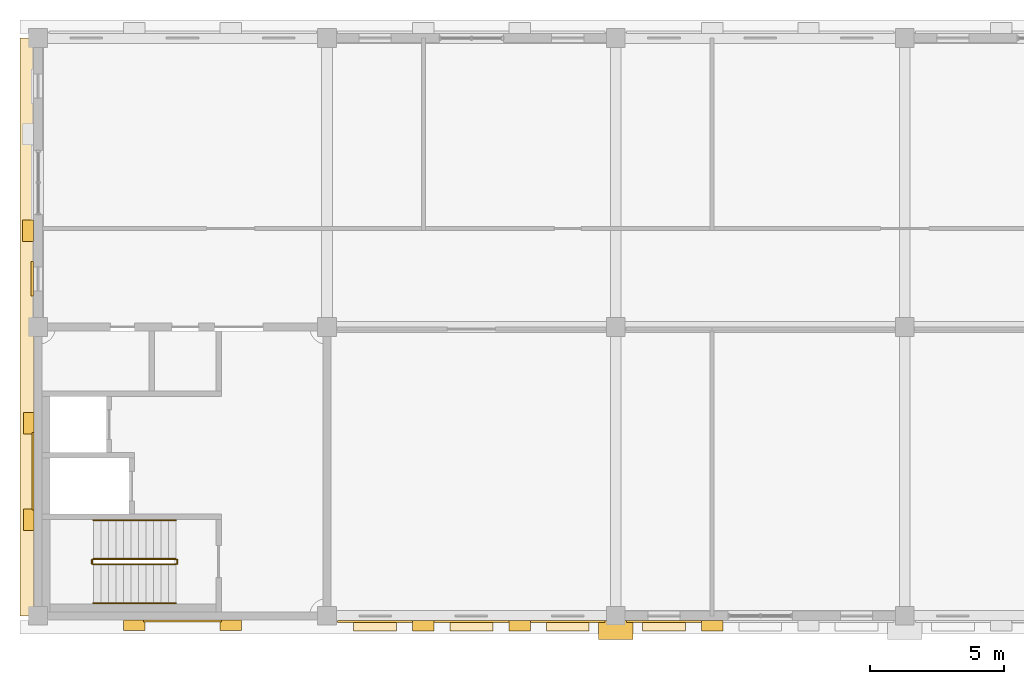
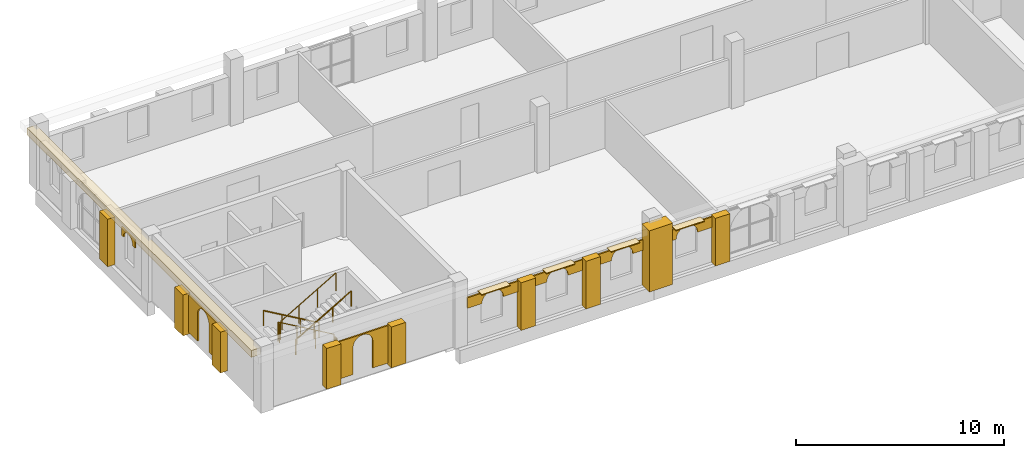
# One storey, part 15 of 17: 21 coverings, 6 railings.
"""IFC4 building model written with IfcOpenShell, lengths in metres."""

import ifcopenshell
import ifcopenshell.guid

model = None  # the IFC model being written
_history = None  # IfcOwnerHistory: only IFC2X3 demands one
_inside = {}  # id of a spatial element -> (the spatial element, [elements in it])
_under = {}  # id of a project, library or spatial element -> (it, [spatial elements below it])
_declared = {}  # id of a project -> (the project, [libraries it declares])
_typed = {}  # id of a type object -> (the type object, [elements of that type])
_made_of = {}  # id of a material, layer set ... -> (it, [elements and type objects made of it])


def new_model(schema):
    """Start an empty IFC model of exactly this schema.

    Asked for "IFC4X3", IfcOpenShell would pick the latest addendum, in which some entities
    have other attributes; the version numbers below select the first issue.
    IFC2X3 requires an IfcOwnerHistory on every rooted entity: one is made here for all.
    """
    global model, _history
    if schema == "IFC4X3":
        model = ifcopenshell.file(schema_version=(4, 3, 0, 0))
    else:
        model = ifcopenshell.file(schema=schema)
    _inside.clear()
    _under.clear()
    _declared.clear()
    _typed.clear()
    _made_of.clear()
    _history = None
    if model.schema == "IFC2X3":
        org = make("IfcOrganization", Name="unknown")
        user = make(
            "IfcPersonAndOrganization",
            ThePerson=make("IfcPerson", FamilyName="unknown"),
            TheOrganization=org,
        )
        app = make(
            "IfcApplication",
            ApplicationDeveloper=org,
            Version="unknown",
            ApplicationFullName="unknown",
            ApplicationIdentifier="unknown",
        )
        _history = make(
            "IfcOwnerHistory",
            OwningUser=user,
            OwningApplication=app,
            ChangeAction="ADDED",
            CreationDate=0,
        )
    return model


def make(cls, **values):
    """One entity of the class cls with the attributes given. An attribute that is None is left unset."""
    return model.create_entity(
        cls, **{name: value for name, value in values.items() if value is not None}
    )


def rooted(cls, **values):
    """An entity with a GlobalId (a new one), such as an element, a storey or a relation."""
    return make(cls, GlobalId=ifcopenshell.guid.new(), OwnerHistory=_history, **values)


def si_unit(unit_type, name, prefix=None):
    """IfcSIUnit, for example si_unit("LENGTHUNIT", "METRE", prefix="MILLI")."""
    return make("IfcSIUnit", UnitType=unit_type, Prefix=prefix, Name=name)


def assignment(units):
    """IfcUnitAssignment: the units of a project."""
    return None if units is None else make("IfcUnitAssignment", Units=units)


def point(xyz):
    """IfcCartesianPoint."""
    return None if xyz is None else make("IfcCartesianPoint", Coordinates=xyz)


def direction(xyz):
    """IfcDirection."""
    return None if xyz is None else make("IfcDirection", DirectionRatios=xyz)


def frame(location, z_axis=None, x_axis=None):
    """IfcAxis2Placement3D, a coordinate frame: its origin and axes. An axis left out is left unset."""
    return make(
        "IfcAxis2Placement3D",
        Location=point(location),
        Axis=direction(z_axis),
        RefDirection=direction(x_axis),
    )


def frame_2d(location, x_axis=None):
    """IfcAxis2Placement2D, a coordinate frame in the plane: its origin and x axis."""
    return make(
        "IfcAxis2Placement2D", Location=point(location), RefDirection=direction(x_axis)
    )


def origin():
    """The frame at (0, 0, 0) with its axes left unset."""
    return frame((0.0, 0.0, 0.0))


def origin_2d():
    """The frame at (0, 0) in the plane with its x axis left unset."""
    return frame_2d((0.0, 0.0))


def place(relative_to, where):
    """IfcLocalPlacement: puts the frame where relative to a parent placement (None: the world)."""
    return make(
        "IfcLocalPlacement", PlacementRelTo=relative_to, RelativePlacement=where
    )


def context(
    kind, dimensions, precision=None, world=None, true_north=None, identifier=None
):
    """IfcGeometricRepresentationContext, for example the 3D "Model" context."""
    return make(
        "IfcGeometricRepresentationContext",
        ContextIdentifier=identifier,
        ContextType=kind,
        CoordinateSpaceDimension=dimensions,
        Precision=precision,
        WorldCoordinateSystem=world,
        TrueNorth=true_north,
    )


def subcontext(parent, identifier, kind, view, scale=None):
    """IfcGeometricRepresentationSubContext, for example "Body" below "Model"."""
    return make(
        "IfcGeometricRepresentationSubContext",
        ContextIdentifier=identifier,
        ContextType=kind,
        ParentContext=parent,
        TargetScale=scale,
        TargetView=view,
    )


def project(units=None, contexts=None):
    """IfcProject with its units and contexts."""
    return rooted(
        "IfcProject",
        Name="project",
        RepresentationContexts=contexts,
        UnitsInContext=assignment(units),
    )


def spatial(cls, under=None, at=None, **own):
    """A site, building, storey or space (cls), placed at a placement, below another one or the project."""
    s = rooted(cls, ObjectPlacement=at, **own)
    if under is not None:
        _under.setdefault(under.id(), (under, []))[1].append(s)
    return s


def polyline(points):
    """IfcPolyline through the points."""
    return make("IfcPolyline", Points=[point(p) for p in points])


def profile(cls, at=None, kind="AREA", **sizes):
    """A parametric profile (cls). Its sizes go by their IFC names, for example OverallWidth=200.0."""
    return make(cls, ProfileType=kind, Position=at, **sizes)


def rectangle(**sizes):
    """IfcRectangleProfileDef."""
    return profile("IfcRectangleProfileDef", **sizes)


def circle(**sizes):
    """IfcCircleProfileDef."""
    return profile("IfcCircleProfileDef", **sizes)


def outline(outer, holes=None, kind="AREA"):
    """IfcArbitraryClosedProfileDef: a profile drawn as a closed curve; with holes, ...WithVoids."""
    if holes is None:
        return make("IfcArbitraryClosedProfileDef", ProfileType=kind, OuterCurve=outer)
    return make(
        "IfcArbitraryProfileDefWithVoids",
        ProfileType=kind,
        OuterCurve=outer,
        InnerCurves=holes,
    )


def extrude(swept, where, along, depth):
    """IfcExtrudedAreaSolid: the profile swept, set in the frame where, extruded along a direction by depth."""
    return make(
        "IfcExtrudedAreaSolid",
        SweptArea=swept,
        Position=where,
        ExtrudedDirection=direction(along),
        Depth=depth,
    )


def shape(context_of_items, identifier, shape_type, items):
    """IfcShapeRepresentation: the items that make up one representation, for example the "Body"."""
    return make(
        "IfcShapeRepresentation",
        ContextOfItems=context_of_items,
        RepresentationIdentifier=identifier,
        RepresentationType=shape_type,
        Items=items,
    )


def material(Name=None, Category=None):
    """IfcMaterial."""
    return make("IfcMaterial", Name=Name, Category=Category)


def layer(
    of_material, thickness, ventilated=None, Name=None, Category=None, Priority=None
):
    """IfcMaterialLayer: one layer of a wall or slab, of a material (None: an air gap)."""
    return make(
        "IfcMaterialLayer",
        Material=of_material,
        LayerThickness=thickness,
        IsVentilated=ventilated,
        Name=Name,
        Category=Category,
        Priority=Priority,
    )


def layer_set(layers, Name=None):
    """IfcMaterialLayerSet."""
    return make("IfcMaterialLayerSet", MaterialLayers=layers, LayerSetName=Name)


def made_of(thing, what):
    """Note that an element or type object is made of a material, layer set ...; save() writes the relation."""
    if what is not None:
        _made_of.setdefault(what.id(), (what, []))[1].append(thing)
    return thing


def type_object(cls, material=None, **own):
    """A type object (cls), such as IfcWallType, which elements share."""
    return made_of(rooted(cls, **own), material)


def element(
    cls,
    number,
    at=None,
    inside=None,
    cuts=None,
    type_object=None,
    material=None,
    context=None,
    identifier="Body",
    shape_type=None,
    held_by="IfcProductDefinitionShape",
    body=None,
    shapes=None,
    **own,
):
    """One element of the class cls, such as IfcWall. Its Tag is "e" and its number.

    at: its placement. inside: the storey or other place that contains it. cuts: it is an
    opening in that element (IfcRelVoidsElement). A single representation is given by context,
    identifier, shape_type and body (its items); several are given by shapes. held_by: the class
    of the entity that holds the representations. save() writes the other relations.
    """
    e = rooted(cls, Tag="e%d" % number, ObjectPlacement=at, **own)
    if body is not None:
        shapes = [shape(context, identifier, shape_type, body)]
    if shapes is not None:
        e.Representation = make(held_by, Representations=shapes)
    if inside is not None:
        _inside.setdefault(inside.id(), (inside, []))[1].append(e)
    if cuts is not None:
        rooted(
            "IfcRelVoidsElement", RelatingBuildingElement=cuts, RelatedOpeningElement=e
        )
    if type_object is not None:
        _typed.setdefault(type_object.id(), (type_object, []))[1].append(e)
    return made_of(e, material)


def aggregate(whole, parts):
    """IfcRelAggregates: a whole, such as a stair, and the parts it consists of."""
    return rooted("IfcRelAggregates", RelatingObject=whole, RelatedObjects=parts)


def save(model, path):
    """Write the relations noted so far, then the file.

    IfcRelAggregates (storeys below a building ...), IfcRelContainedInSpatialStructure (elements
    in a storey), IfcRelDefinesByType, IfcRelAssociatesMaterial and IfcRelDeclares: one each for
    every whole, place, type object, material and project.
    """
    for whole, parts in _under.values():
        aggregate(whole, parts)
    for where, things in _inside.values():
        rooted(
            "IfcRelContainedInSpatialStructure",
            RelatedElements=things,
            RelatingStructure=where,
        )
    for kind, things in _typed.values():
        rooted("IfcRelDefinesByType", RelatedObjects=things, RelatingType=kind)
    for what, things in _made_of.values():
        rooted("IfcRelAssociatesMaterial", RelatedObjects=things, RelatingMaterial=what)
    for by, libraries in _declared.values():
        rooted("IfcRelDeclares", RelatingContext=by, RelatedDefinitions=libraries)
    model.write(path)


model = new_model("IFC4")

# Units and contexts
model_context = context("Model", 3, precision=1e-05, world=origin(), true_north=direction((0.0, 1.0)))
body_context = subcontext(model_context, "Body", "Model", "MODEL_VIEW")
ifc_project = project(units=[si_unit("LENGTHUNIT", "METRE"), si_unit("AREAUNIT", "SQUARE_METRE"), si_unit("VOLUMEUNIT", "CUBIC_METRE"), si_unit("PLANEANGLEUNIT", "RADIAN"), si_unit("MASSUNIT", "GRAM", prefix="KILO")], contexts=[model_context])

# Site, building, storey
site_placement = place(None, origin())
site = spatial("IfcSite", under=ifc_project, at=site_placement, CompositionType="ELEMENT")
building_placement = place(site_placement, origin())
building = spatial("IfcBuilding", under=site, at=building_placement, Name="Magnolia Steps Interchange", CompositionType="ELEMENT")
storey_placement = place(building_placement, frame((0.0, 0.0, 20.39990234375)))
storey = spatial("IfcBuildingStorey", under=building, at=storey_placement, Name="L05", CompositionType="ELEMENT", Elevation=20.39990234375)

# Coverings
ifc_material_1 = material(Name="Lime render")
ifc_layer_1 = layer(ifc_material_1, 0.080078125)
ifc_layer_set_1 = layer_set([ifc_layer_1], Name="Lime render arch infill")
covering_type_1 = type_object("IfcCoveringType", Name="Lime render arch infill", PredefinedType="CLADDING", material=ifc_layer_set_1)
covering_1_placement = place(storey_placement, frame((75.199951171875, 96.22509765625, 2.080078125), z_axis=(0.0, 1.0, 0.0), x_axis=(0.0, 0.0, 1.0)))
element("IfcCovering", 1, at=covering_1_placement, inside=storey, type_object=covering_type_1, Name="Arched head over opening W00180", PredefinedType="CLADDING", context=body_context, shape_type="SweptSolid", body=[
    extrude(outline(polyline([(0.0, 0.0), (0.620117188, 0.0), (0.620117188, 2.800048828), (0.0, 2.800048828), (0.0, 2.0), (0.133544922, 1.985107422), (0.260253906, 1.940673828), (0.374023438, 1.869140625), (0.469238281, 1.774169922), (0.540527344, 1.660400391), (0.584960938, 1.533447266), (0.600097656, 1.400146484), (0.584960938, 1.266601562), (0.540527344, 1.139648438), (0.469238281, 1.025878906), (0.374023438, 0.930908203), (0.260253906, 0.859375), (0.133544922, 0.814941406), (0.0, 0.800048828), (0.0, 0.0)])), origin(), (0.0, 0.0, -1.0), 0.080078125),
])
covering_2_placement = place(storey_placement, frame((78.800048828125, 96.22509765625, 2.080078125), z_axis=(0.0, 1.0, 0.0), x_axis=(0.0, 0.0, 1.0)))
element("IfcCovering", 2, at=covering_2_placement, inside=storey, type_object=covering_type_1, Name="Arched head over opening W00540", PredefinedType="CLADDING", context=body_context, shape_type="SweptSolid", body=[
    extrude(outline(polyline([(0.0, 0.0), (0.620117188, 0.0), (0.620117188, 2.800048828), (0.0, 2.800048828), (0.0, 2.0), (0.133544922, 1.984863281), (0.260253906, 1.940429688), (0.374023438, 1.869140625), (0.469238281, 1.774169922), (0.540527344, 1.66015625), (0.584960938, 1.533447266), (0.600097656, 1.399902344), (0.584960938, 1.266357422), (0.540527344, 1.139648438), (0.469238281, 1.025878906), (0.374023438, 0.930908203), (0.260253906, 0.859375), (0.133544922, 0.814941406), (0.0, 0.800048828), (0.0, 0.0)])), origin(), (0.0, 0.0, -1.0), 0.080078125),
])
covering_3_placement = place(storey_placement, frame((82.39990234375, 96.22509765625, 2.080078125), z_axis=(0.0, 1.0, 0.0), x_axis=(0.0, 0.0, 1.0)))
element("IfcCovering", 3, at=covering_3_placement, inside=storey, type_object=covering_type_1, Name="Arched head over opening W00900", PredefinedType="CLADDING", context=body_context, shape_type="SweptSolid", body=[
    extrude(outline(polyline([(0.0, 0.0), (0.620117188, 0.0), (0.620117188, 2.800048828), (0.0, 2.800048828), (0.0, 2.0), (0.133544922, 1.985107422), (0.260253906, 1.940673828), (0.374023438, 1.869140625), (0.469238281, 1.774169922), (0.540527344, 1.660400391), (0.584960938, 1.533691406), (0.600097656, 1.400146484), (0.584960938, 1.266601562), (0.540527344, 1.139892578), (0.469238281, 1.025878906), (0.374023438, 0.930908203), (0.260253906, 0.859619141), (0.133544922, 0.815185547), (0.0, 0.800048828), (0.0, 0.0)])), origin(), (0.0, 0.0, -1.0), 0.080078125),
])
covering_4_placement = place(storey_placement, frame((86.0, 96.22509765625, 2.080078125), z_axis=(0.0, 1.0, 0.0), x_axis=(0.0, 0.0, 1.0)))
element("IfcCovering", 4, at=covering_4_placement, inside=storey, type_object=covering_type_1, Name="Arched head over opening W01260", PredefinedType="CLADDING", context=body_context, shape_type="SweptSolid", body=[
    extrude(outline(polyline([(0.0, 0.0), (0.620117188, 0.0), (0.620117188, 2.800048828), (0.0, 2.800048828), (0.0, 2.0), (0.133544922, 1.985107422), (0.260253906, 1.940673828), (0.374023438, 1.869140625), (0.469238281, 1.774169922), (0.540527344, 1.660400391), (0.584960938, 1.533447266), (0.600097656, 1.399902344), (0.584960938, 1.266601562), (0.540527344, 1.139648438), (0.469238281, 1.025878906), (0.374023438, 0.930908203), (0.260253906, 0.859375), (0.133544922, 0.814941406), (0.0, 0.800048828), (0.0, 0.0)])), origin(), (0.0, 0.0, -1.0), 0.080078125),
])
covering_5_placement = place(storey_placement, frame((63.824951171875, 108.550048828125, 2.22998046875), z_axis=(1.0, 0.0, 0.0), x_axis=(0.0, 0.111495577518, 0.993764930048)))
element("IfcCovering", 5, at=covering_5_placement, inside=storey, type_object=covering_type_1, Name="Arched head over opening W00180", PredefinedType="CLADDING", context=body_context, shape_type="SweptSolid", body=[
    extrude(outline(polyline([(0.0, 0.0), (0.100725688, 0.0), (0.199048862, -0.022380067), (0.289953831, -0.066228903), (0.368504198, -0.129152279), (0.431380233, -0.207837565), (0.474992369, -0.298756736), (0.497555879, -0.396950908), (0.497313261, -0.497703817), (0.474933193, -0.596026991), (0.431057137, -0.686689342), (0.3684036, -0.765455106), (0.289475695, -0.828358363), (0.198556524, -0.871970498), (0.100335132, -0.89429139), (0.122628803, -1.092995852), (0.589911824, -1.040568976), (0.44498935, 0.251131338), (-0.022293671, 0.198704462), (0.0, 0.0)])), origin(), (0.0, 0.0, -1.0), 0.080078125),
])
covering_6_placement = place(storey_placement, frame((67.949951171875, 96.25, 0.400146484375), z_axis=(0.0, 1.0, 0.0), x_axis=(0.0, 0.0, 1.0)))
element("IfcCovering", 6, at=covering_6_placement, inside=storey, type_object=covering_type_1, Name="Arched niche OC-W L05 S", PredefinedType="CLADDING", context=body_context, shape_type="SweptSolid", body=[
    extrude(outline(polyline([(0.0, 0.0), (2.199951172, 0.0), (2.199951172, 2.900146484), (0.0, 2.900146484), (0.0, 2.0), (1.599853516, 2.0), (1.742431641, 1.981445312), (1.875, 1.926269531), (1.988769531, 1.838867188), (2.076171875, 1.725097656), (2.131347656, 1.592529297), (2.149902344, 1.449951172), (2.131347656, 1.307617188), (2.076171875, 1.175048828), (1.988769531, 1.061035156), (1.875, 0.973632812), (1.742431641, 0.918701172), (1.599853516, 0.900146484), (0.0, 0.900146484), (0.0, 0.0)])), origin(), (0.0, 0.0, -1.0), 0.080078125),
])
covering_7_placement = place(storey_placement, frame((63.85009765625, 101.25, 0.400146484375), z_axis=(1.0, 0.0, 0.0), x_axis=(0.0, 0.0, 1.0)))
element("IfcCovering", 7, at=covering_7_placement, inside=storey, type_object=covering_type_1, Name="Arched niche OC-W L05 W", PredefinedType="CLADDING", context=body_context, shape_type="SweptSolid", body=[
    extrude(outline(polyline([(0.0, 0.0), (1.599853516, 0.0), (1.742431641, -0.018798828), (1.875, -0.073730469), (1.988769531, -0.161132812), (2.076171875, -0.274902344), (2.131347656, -0.407714844), (2.149902344, -0.550048828), (2.131347656, -0.692382812), (2.076171875, -0.824951172), (1.988769531, -0.938964844), (1.875, -1.026367188), (1.742431641, -1.081298828), (1.599853516, -1.100097656), (0.0, -1.100097656), (0.0, -2.0), (2.199951172, -2.0), (2.199951172, 0.899902344), (0.0, 0.899902344), (0.0, 0.0)])), origin(), (0.0, 0.0, -1.0), 0.080078125),
])
ifc_material_2 = material(Name="Lime render")
ifc_layer_2 = layer(ifc_material_2, 0.1201171875)
ifc_layer_set_2 = layer_set([ifc_layer_2], Name="Lime render band")
covering_type_2 = type_object("IfcCoveringType", Name="Lime render band", PredefinedType="CLADDING", material=ifc_layer_set_2)
covering_8_placement = place(storey_placement, frame((63.574951171875, 107.199951171875, 3.2001953125), z_axis=(0.0, 0.0, 1.0), x_axis=(1.0, 0.0, 0.0)))
element("IfcCovering", 8, at=covering_8_placement, inside=storey, type_object=covering_type_2, Name="String course L05 W", PredefinedType="CLADDING", context=body_context, shape_type="SweptSolid", body=[
    extrude(rectangle(XDim=0.5, YDim=21.60009765625, at=origin_2d()), origin(), (0.0, 0.0, 1.0), 0.39990234375),
])
ifc_material_3 = material(Name="Lime render")
ifc_layer_3 = layer(ifc_material_3, 0.39990234375)
ifc_layer_set_3 = layer_set([ifc_layer_3], Name="Lime render pilaster")
covering_type_3 = type_object("IfcCoveringType", Name="Lime render pilaster", PredefinedType="CLADDING", material=ifc_layer_set_3)
for number, where, z_axis, x_axis, name in (
    (9, (78.39990234375, 96.02490234375, 0.0), (0.0, 0.0, 1.0), (1.0, 0.0, 0.0), "Pilaster L05 S 1"),
    (10, (82.0, 96.02490234375, 0.0), (0.0, 0.0, 1.0), (1.0, 0.0, 0.0), "Pilaster L05 S 2"),
    (11, (89.199951171875, 96.02490234375, 0.0), (0.0, 0.0, 1.0), (1.0, 0.0, 0.0), "Pilaster L05 S 3"),
):
    element("IfcCovering", number, at=place(storey_placement, frame(where, z_axis=z_axis, x_axis=x_axis)), inside=storey, type_object=covering_type_3, Name=name, PredefinedType="CLADDING", context=body_context, shape_type="SweptSolid", body=[
        extrude(rectangle(XDim=0.800048828125, YDim=0.39990234375, at=origin_2d()), origin(), (0.0, 0.0, 1.0), 2.800048828125),
    ])
covering_9_placement = place(storey_placement, frame((63.625, 110.800048828125, 0.0), z_axis=(0.0, 0.0, 1.0), x_axis=(1.0, 0.0, 0.0)))
element("IfcCovering", 12, at=covering_9_placement, inside=storey, type_object=covering_type_3, Name="Pilaster L05 W 1", PredefinedType="CLADDING", context=body_context, shape_type="SweptSolid", body=[
    extrude(rectangle(XDim=0.39990234375, YDim=0.800048828125, at=origin_2d()), origin(), (0.0, 0.0, 1.0), 2.800048828125),
])
for number, where, z_axis, x_axis, name in (
    (13, (67.60009765625, 96.050048828125, 0.300048828125), (0.0, 0.0, 1.0), (1.0, 0.0, 0.0), "Core pilaster OC-W L05 S 1"),
    (14, (71.199951171875, 96.050048828125, 0.300048828125), (0.0, 0.0, 1.0), (1.0, 0.0, 0.0), "Core pilaster OC-W L05 S 2"),
):
    element("IfcCovering", number, at=place(storey_placement, frame(where, z_axis=z_axis, x_axis=x_axis)), inside=storey, type_object=covering_type_3, Name=name, PredefinedType="CLADDING", context=body_context, shape_type="SweptSolid", body=[
        extrude(rectangle(XDim=0.800048828125, YDim=0.39990234375, at=origin_2d()), origin(), (0.0, 0.0, 1.0), 2.39990234375),
    ])
for number, where, z_axis, x_axis, name in (
    (15, (63.64990234375, 100.0, 0.300048828125), (0.0, 0.0, 1.0), (1.0, 0.0, 0.0), "Core pilaster OC-W L05 W 1"),
    (16, (63.64990234375, 103.60009765625, 0.300048828125), (0.0, 0.0, 1.0), (1.0, 0.0, 0.0), "Core pilaster OC-W L05 W 2"),
):
    element("IfcCovering", number, at=place(storey_placement, frame(where, z_axis=z_axis, x_axis=x_axis)), inside=storey, type_object=covering_type_3, Name=name, PredefinedType="CLADDING", context=body_context, shape_type="SweptSolid", body=[
        extrude(rectangle(XDim=0.39990234375, YDim=0.800048828125, at=origin_2d()), origin(), (0.0, 0.0, 1.0), 2.39990234375),
    ])
covering_10_placement = place(storey_placement, frame((85.60009765625, 95.875, 0.0), z_axis=(0.0, 0.0, 1.0), x_axis=(1.0, 0.0, 0.0)))
element("IfcCovering", 17, at=covering_10_placement, inside=storey, type_object=covering_type_3, Name="Giant pilaster L05 1", PredefinedType="CLADDING", context=body_context, shape_type="SweptSolid", body=[
    extrude(rectangle(XDim=1.300048828125, YDim=0.699951171875, at=origin_2d()), origin(), (0.0, 0.0, 1.0), 3.60009765625),
])

# Railings
ifc_material_4 = material(Name="Stainless steel grade 304", Category="steel")
railing_type_1 = type_object("IfcRailingType", Name="Stair guard 1100", PredefinedType="GUARDRAIL", material=ifc_material_4)
railing_1_placement = place(storey_placement, frame((69.14990234375, 98.52392578125, 0.16259765625)))
element("IfcRailing", 18, at=railing_1_placement, inside=storey, type_object=railing_type_1, Name="L05 ST28 stair guard 1", PredefinedType="GUARDRAIL", context=body_context, shape_type="SweptSolid", body=[
    extrude(circle(Radius=0.02392578125, at=origin_2d()), frame((0.0, 0.0, 1.076171875), z_axis=(-0.864873446163, 0.0, 0.501989962173), x_axis=(0.0, -1.0, 0.0)), (0.0, 0.0, 1.0), 3.56103515625),
    extrude(circle(Radius=0.02099609375, at=origin_2d()), origin(), (0.0, 0.0, 1.0), 1.052001953125),
    extrude(circle(Radius=0.02099609375, at=origin_2d()), frame((-1.026611328125, 0.0, 0.595947265625)), (0.0, 0.0, 1.0), 1.052001953125),
    extrude(circle(Radius=0.02099609375, at=origin_2d()), frame((-2.05322265625, 0.0, 1.191650390625)), (0.0, 0.0, 1.0), 1.052001953125),
    extrude(circle(Radius=0.02099609375, at=origin_2d()), frame((-3.079833984375, 0.0, 1.78759765625)), (0.0, 0.0, 1.0), 1.052001953125),
])
railing_2_placement = place(storey_placement, frame((66.02001953125, 98.5, 1.9501953125)))
element("IfcRailing", 19, at=railing_2_placement, inside=storey, type_object=railing_type_1, Name="L05 ST28 stair guard 2", PredefinedType="GUARDRAIL", context=body_context, shape_type="SweptSolid", body=[
    extrude(circle(Radius=0.02392578125, at=origin_2d()), frame((0.0, 0.0, 1.076171875), z_axis=(0.0, -1.0, 0.0), x_axis=(1.0, 0.0, 0.0)), (0.0, 0.0, 1.0), 0.14990234375),
    extrude(circle(Radius=0.02099609375, at=origin_2d()), origin(), (0.0, 0.0, 1.0), 1.052001953125),
    extrude(circle(Radius=0.02099609375, at=origin_2d()), frame((0.0, -0.14990234375, 0.0)), (0.0, 0.0, 1.0), 1.052001953125),
])
railing_3_placement = place(storey_placement, frame((66.070068359375, 98.325927734375, 2.112548828125)))
element("IfcRailing", 20, at=railing_3_placement, inside=storey, type_object=railing_type_1, Name="L05 ST28 stair guard 3", PredefinedType="GUARDRAIL", context=body_context, shape_type="SweptSolid", body=[
    extrude(circle(Radius=0.02392578125, at=origin_2d()), frame((0.0, 0.0, 1.076171875), z_axis=(0.864873446163, 0.0, 0.501989962173), x_axis=(0.0, 1.0, 0.0)), (0.0, 0.0, 1.0), 3.56103515625),
    extrude(circle(Radius=0.02099609375, at=origin_2d()), origin(), (0.0, 0.0, 1.0), 1.052001953125),
    extrude(circle(Radius=0.02099609375, at=origin_2d()), frame((1.026611328125, 0.0, 0.595947265625)), (0.0, 0.0, 1.0), 1.052001953125),
    extrude(circle(Radius=0.02099609375, at=origin_2d()), frame((2.05322265625, 0.0, 1.191650390625)), (0.0, 0.0, 1.0), 1.052001953125),
    extrude(circle(Radius=0.02099609375, at=origin_2d()), frame((3.079833984375, 0.0, 1.78759765625)), (0.0, 0.0, 1.0), 1.052001953125),
])
railing_4_placement = place(storey_placement, frame((69.199951171875, 98.5, 0.0)))
element("IfcRailing", 21, at=railing_4_placement, inside=storey, type_object=railing_type_1, Name="L05 ST28 stair guard 4", PredefinedType="GUARDRAIL", context=body_context, shape_type="SweptSolid", body=[
    extrude(circle(Radius=0.02392578125, at=origin_2d()), frame((0.0, 0.0, 1.076171875), z_axis=(0.0, -1.0, 0.0), x_axis=(1.0, 0.0, 0.0)), (0.0, 0.0, 1.0), 0.14990234375),
    extrude(circle(Radius=0.02099609375, at=origin_2d()), origin(), (0.0, 0.0, 1.0), 1.052001953125),
    extrude(circle(Radius=0.02099609375, at=origin_2d()), frame((0.0, -0.14990234375, 0.0)), (0.0, 0.0, 1.0), 1.052001953125),
])
ifc_material_5 = material(Name="Stainless steel grade 304", Category="steel")
railing_type_2 = type_object("IfcRailingType", Name="Stair handrail 900", PredefinedType="HANDRAIL", material=ifc_material_5)
railing_5_placement = place(storey_placement, frame((69.14990234375, 99.97607421875, 0.16259765625)))
element("IfcRailing", 22, at=railing_5_placement, inside=storey, type_object=railing_type_2, Name="L05 ST28 stair handrail 1", PredefinedType="HANDRAIL", context=body_context, shape_type="SweptSolid", body=[
    extrude(circle(Radius=0.02392578125, at=origin_2d()), frame((0.0, 0.0, 0.8759765625), z_axis=(-0.864873446163, 0.0, 0.501989962173), x_axis=(0.0, -1.0, 0.0)), (0.0, 0.0, 1.0), 3.56103515625),
    extrude(circle(Radius=0.02099609375, at=origin_2d()), origin(), (0.0, 0.0, 1.0), 0.851806640625),
    extrude(circle(Radius=0.02099609375, at=origin_2d()), frame((-1.026611328125, 0.0, 0.595947265625)), (0.0, 0.0, 1.0), 0.851806640625),
    extrude(circle(Radius=0.02099609375, at=origin_2d()), frame((-2.05322265625, 0.0, 1.191650390625)), (0.0, 0.0, 1.0), 0.851806640625),
    extrude(circle(Radius=0.02099609375, at=origin_2d()), frame((-3.079833984375, 0.0, 1.78759765625)), (0.0, 0.0, 1.0), 0.851806640625),
])
railing_6_placement = place(storey_placement, frame((66.070068359375, 96.8740234375, 2.112548828125)))
element("IfcRailing", 23, at=railing_6_placement, inside=storey, type_object=railing_type_2, Name="L05 ST28 stair handrail 2", PredefinedType="HANDRAIL", context=body_context, shape_type="SweptSolid", body=[
    extrude(circle(Radius=0.02392578125, at=origin_2d()), frame((0.0, 0.0, 0.8759765625), z_axis=(0.864873446163, 0.0, 0.501989962173), x_axis=(0.0, 1.0, 0.0)), (0.0, 0.0, 1.0), 3.56103515625),
    extrude(circle(Radius=0.02099609375, at=origin_2d()), origin(), (0.0, 0.0, 1.0), 0.851806640625),
    extrude(circle(Radius=0.02099609375, at=origin_2d()), frame((1.026611328125, 0.0, 0.595947265625)), (0.0, 0.0, 1.0), 0.851806640625),
    extrude(circle(Radius=0.02099609375, at=origin_2d()), frame((2.05322265625, 0.0, 1.191650390625)), (0.0, 0.0, 1.0), 0.851806640625),
    extrude(circle(Radius=0.02099609375, at=origin_2d()), frame((3.079833984375, 0.0, 1.78759765625)), (0.0, 0.0, 1.0), 0.851806640625),
])

# Coverings
ifc_material_6 = material(Name="Timber", Category="wood")
ifc_layer_4 = layer(ifc_material_6, 0.050048828125)
ifc_layer_set_4 = layer_set([ifc_layer_4], Name="Timber sunshade louvre")
covering_type_4 = type_object("IfcCoveringType", Name="Timber sunshade louvre", PredefinedType="CLADDING", material=ifc_layer_set_4)
for number, where, z_axis, x_axis, name in (
    (24, (76.60009765625, 96.02490234375, 2.8251953125), (0.0, 0.0, 1.0), (1.0, 0.0, 0.0), "Sunshade louvre L05 1"),
    (25, (80.199951171875, 96.02490234375, 2.8251953125), (0.0, 0.0, 1.0), (1.0, 0.0, 0.0), "Sunshade louvre L05 2"),
    (26, (83.800048828125, 96.02490234375, 2.8251953125), (0.0, 0.0, 1.0), (1.0, 0.0, 0.0), "Sunshade louvre L05 3"),
    (27, (87.39990234375, 96.02490234375, 2.8251953125), (0.0, 0.0, 1.0), (1.0, 0.0, 0.0), "Sunshade louvre L05 4"),
):
    element("IfcCovering", number, at=place(storey_placement, frame(where, z_axis=z_axis, x_axis=x_axis)), inside=storey, type_object=covering_type_4, Name=name, PredefinedType="CLADDING", context=body_context, shape_type="SweptSolid", body=[
        extrude(rectangle(XDim=1.60009765625, YDim=0.39990234375, at=origin_2d()), origin(), (0.0, 0.0, 1.0), 0.050048828125),
    ])

save(model, "model.ifc")
